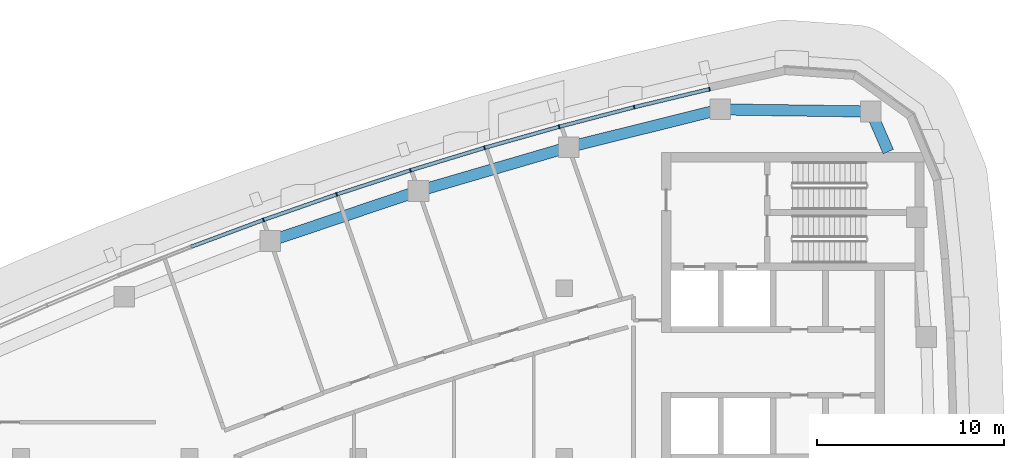
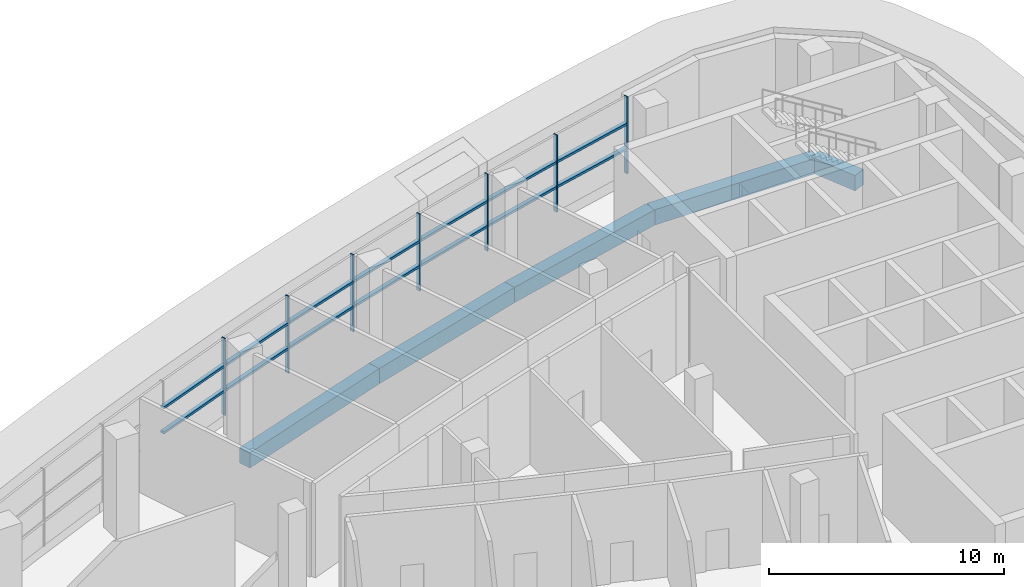
# One storey, part 5 of 14: 21 members, 5 beams, 4 elements without a shape of their own.
"""IFC4 building model written with IfcOpenShell, lengths in metres."""

from ifc_helpers import new_model, si_unit, direction, frame, origin, origin_2d, place, context, subcontext, project, spatial, rectangle, extrude, material, layer, layer_set, material_profile, profile_set, type_object, element, aggregate, save


model = new_model("IFC4")

# Units and contexts
model_context = context("Model", 3, precision=1e-05, world=origin(), true_north=direction((0.0, 1.0)))
body_context = subcontext(model_context, "Body", "Model", "MODEL_VIEW")
ifc_project = project(units=[si_unit("LENGTHUNIT", "METRE"), si_unit("AREAUNIT", "SQUARE_METRE"), si_unit("VOLUMEUNIT", "CUBIC_METRE"), si_unit("PLANEANGLEUNIT", "RADIAN"), si_unit("MASSUNIT", "GRAM", prefix="KILO")], contexts=[model_context])

# Site, building, storey
site_placement = place(None, origin())
site = spatial("IfcSite", under=ifc_project, at=site_placement, CompositionType="ELEMENT")
building_placement = place(site_placement, origin())
building = spatial("IfcBuilding", under=site, at=building_placement, Name="Ostrand Prow Hotel Tower", CompositionType="ELEMENT")
storey_placement = place(building_placement, frame((0.0, 0.0, 303.39990234375)))
storey = spatial("IfcBuildingStorey", under=building, at=storey_placement, Name="L77", CompositionType="ELEMENT", Elevation=303.39990234375)

# Beams
ifc_material_1 = material(Name="Concrete C50/60", Category="concrete")
ifc_material_profile_1 = material_profile(ifc_material_1, rectangle(XDim=0.60009765625, YDim=0.800048828125, at=origin_2d()), Name="RC 600x800")
ifc_profile_set_1 = profile_set([ifc_material_profile_1], Name="Concrete C50/60")
beam_type = type_object("IfcBeamType", Name="Edge beam 600x800 C50/60", PredefinedType="SPANDREL", material=ifc_profile_set_1)
beam_1_placement = place(storey_placement, frame((62.304931640625, 16.300048828125, -0.7998046875), z_axis=(-0.398863844187, 0.91701016014, 0.0), x_axis=(-0.91701016014, -0.398863844187, 0.0)))
element("IfcBeam", 1, at=beam_1_placement, inside=storey, type_object=beam_type, Name="Edge beam B5-NE", PredefinedType="SPANDREL", context=body_context, shape_type="SweptSolid", body=[
    extrude(rectangle(XDim=0.60009765625, YDim=0.800048828125, at=origin_2d()), origin(), (0.0, 0.0, 1.0), 2.333251953125),
])
beam_2_placement = place(storey_placement, frame((61.374267578125, 18.439697265625, -0.7998046875), z_axis=(-0.999900689486, 0.014092947356, 0.0), x_axis=(-0.014092947356, -0.999900689486, 0.0)))
element("IfcBeam", 2, at=beam_2_placement, inside=storey, type_object=beam_type, Name="Edge beam NE-N1", PredefinedType="SPANDREL", context=body_context, shape_type="SweptSolid", body=[
    extrude(rectangle(XDim=0.60009765625, YDim=0.800048828125, at=origin_2d()), origin(), (0.0, 0.0, 1.0), 8.0380859375),
])
for number, where, z_axis, x_axis, name in (
    (3, (53.3369140625, 18.552978515625, -0.7998046875), (-0.970456465292, -0.241276291775, 0.0), (0.241276291775, -0.970456465292, 0.0), "Edge beam N1-N2"),
    (4, (45.234619140625, 16.53857421875, -0.7998046875), (-0.959821966031, -0.280609681809, 0.0), (0.280609681809, -0.959821966031, 0.0), "Edge beam N2-N3"),
    (5, (37.22119140625, 14.19580078125, -0.7998046875), (-0.947575089419, -0.319533174981, 0.0), (0.319533174981, -0.947575089419, 0.0), "Edge beam N3-N4"),
):
    element("IfcBeam", number, at=place(storey_placement, frame(where, z_axis=z_axis, x_axis=x_axis)), inside=storey, type_object=beam_type, Name=name, PredefinedType="SPANDREL", context=body_context, shape_type="SweptSolid", body=[
        extrude(rectangle(XDim=0.60009765625, YDim=0.800048828125, at=origin_2d()), origin(), (0.0, 0.0, 1.0), 8.348876953125),
    ])

# Curtain wall, members
ifc_material_2 = material(Name="Insulated glass in bronze anodised frame", Category="glass")
ifc_layer = layer(ifc_material_2, 0.199951171875)
ifc_layer_set = layer_set([ifc_layer], Name="Insulated glass in bronze anodised frame")
curtain_wall_type = type_object("IfcCurtainWallType", Name="Plant storey louvre wall", PredefinedType="NOTDEFINED", material=ifc_layer_set)
curtain_wall_1_placement = place(storey_placement, origin())
curtain_wall_1 = element("IfcCurtainWall", 6, at=curtain_wall_1_placement, inside=storey, type_object=curtain_wall_type, Name="CW7 run CWN1", PredefinedType="NOTDEFINED")
ifc_material_3 = material(Name="Bronze anodised aluminium", Category="aluminium")
ifc_material_profile_2 = material_profile(ifc_material_3, rectangle(XDim=0.199951171875, YDim=0.06005859375, at=origin_2d()), Name="Mullion 60x200 bronze anodised aluminium")
ifc_profile_set_2 = profile_set([ifc_material_profile_2], Name="Bronze anodised aluminium")
member_type_1 = type_object("IfcMemberType", Name="Mullion 60x200 bronze anodised aluminium", PredefinedType="MULLION", material=ifc_profile_set_2)
member_1_placement = place(storey_placement, frame((52.7607421875, 19.634521484375, 0.900146484375), z_axis=(0.0, 0.0, 1.0), x_axis=(0.232746096028, -0.972537533869, 0.0)))
member_1 = element("IfcMember", 7, at=member_1_placement, type_object=member_type_1, Name="CW7 mullion 1", PredefinedType="MULLION", context=body_context, shape_type="SweptSolid", body=[
    extrude(rectangle(XDim=0.199951171875, YDim=0.06005859375, at=origin_2d()), origin(), (0.0, 0.0, 1.0), 4.0),
])
member_2_placement = place(storey_placement, frame((48.734619140625, 18.6708984375, 0.900146484375), z_axis=(0.0, 0.0, 1.0), x_axis=(0.252248384867, -0.967662519855, 0.0)))
member_2 = element("IfcMember", 8, at=member_2_placement, type_object=member_type_1, Name="CW7 mullion 2", PredefinedType="MULLION", context=body_context, shape_type="SweptSolid", body=[
    extrude(rectangle(XDim=0.199951171875, YDim=0.06005859375, at=origin_2d()), origin(), (0.0, 0.0, 1.0), 4.0),
])
member_3_placement = place(storey_placement, frame((44.728515625, 17.626708984375, 0.900146484375), z_axis=(0.0, 0.0, 1.0), x_axis=(0.252248384867, -0.967662519855, 0.0)))
member_3 = element("IfcMember", 9, at=member_3_placement, type_object=member_type_1, Name="CW7 mullion 3", PredefinedType="MULLION", context=body_context, shape_type="SweptSolid", body=[
    extrude(rectangle(XDim=0.199951171875, YDim=0.06005859375, at=origin_2d()), origin(), (0.0, 0.0, 1.0), 4.0),
])

curtain_wall_2_placement = place(storey_placement, origin())
curtain_wall_2 = element("IfcCurtainWall", 10, at=curtain_wall_2_placement, inside=storey, type_object=curtain_wall_type, Name="CW7 run CWN2", PredefinedType="NOTDEFINED")
member_4_placement = place(storey_placement, frame((40.744384765625, 16.502197265625, 0.900146484375), z_axis=(0.0, 0.0, 1.0), x_axis=(0.290937648411, -0.956742015769, 0.0)))
member_4 = element("IfcMember", 11, at=member_4_placement, type_object=member_type_1, Name="CW7 mullion 2", PredefinedType="MULLION", context=body_context, shape_type="SweptSolid", body=[
    extrude(rectangle(XDim=0.199951171875, YDim=0.06005859375, at=origin_2d()), origin(), (0.0, 0.0, 1.0), 4.0),
])
member_5_placement = place(storey_placement, frame((36.78369140625, 15.297607421875, 0.900146484375), z_axis=(0.0, 0.0, 1.0), x_axis=(0.290937648411, -0.956742015769, 0.0)))
member_5 = element("IfcMember", 12, at=member_5_placement, type_object=member_type_1, Name="CW7 mullion 3", PredefinedType="MULLION", context=body_context, shape_type="SweptSolid", body=[
    extrude(rectangle(XDim=0.199951171875, YDim=0.06005859375, at=origin_2d()), origin(), (0.0, 0.0, 1.0), 4.0),
])

curtain_wall_3_placement = place(storey_placement, origin())
curtain_wall_3 = element("IfcCurtainWall", 13, at=curtain_wall_3_placement, inside=storey, type_object=curtain_wall_type, Name="CW7 run CWN3", PredefinedType="NOTDEFINED")
member_6_placement = place(storey_placement, frame((32.84814453125, 14.013916015625, 0.900146484375), z_axis=(0.0, 0.0, 1.0), x_axis=(0.329158370885, -0.944274730614, 0.0)))
member_6 = element("IfcMember", 14, at=member_6_placement, type_object=member_type_1, Name="CW7 mullion 2", PredefinedType="MULLION", context=body_context, shape_type="SweptSolid", body=[
    extrude(rectangle(XDim=0.199951171875, YDim=0.06005859375, at=origin_2d()), origin(), (0.0, 0.0, 1.0), 4.0),
])
member_7_placement = place(storey_placement, frame((28.93896484375, 12.6513671875, 0.900146484375), z_axis=(0.0, 0.0, 1.0), x_axis=(0.329158370885, -0.944274730614, 0.0)))
member_7 = element("IfcMember", 15, at=member_7_placement, type_object=member_type_1, Name="CW7 mullion 3", PredefinedType="MULLION", context=body_context, shape_type="SweptSolid", body=[
    extrude(rectangle(XDim=0.199951171875, YDim=0.06005859375, at=origin_2d()), origin(), (0.0, 0.0, 1.0), 4.0),
])

# Member
ifc_material_4 = material(Name="Bronze anodised aluminium", Category="aluminium")
ifc_material_profile_3 = material_profile(ifc_material_4, rectangle(XDim=0.199951171875, YDim=0.1201171875, at=origin_2d()), Name="Transom 120x200 bronze anodised aluminium")
ifc_profile_set_3 = profile_set([ifc_material_profile_3], Name="Bronze anodised aluminium")
member_type_2 = type_object("IfcMemberType", Name="Transom 120x200 bronze anodised aluminium", PredefinedType="USERDEFINED", material=ifc_profile_set_3)
member_8_placement = place(storey_placement, frame((52.7314453125, 19.62744140625, 2.2001953125), z_axis=(-0.972542980558, -0.232723335675, 0.0), x_axis=(0.232723335675, -0.972542980558, 0.0)))
member_8 = element("IfcMember", 16, at=member_8_placement, type_object=member_type_2, Name="CW7 transom 1.1", ObjectType="TRANSOM", PredefinedType="USERDEFINED", context=body_context, shape_type="SweptSolid", body=[
    extrude(rectangle(XDim=0.199951171875, YDim=0.1201171875, at=origin_2d()), origin(), (0.0, 0.0, 1.0), 4.079833984375),
])

member_9_placement = place(storey_placement, frame((52.7314453125, 19.62744140625, 3.5), z_axis=(-0.972542980558, -0.232723335675, 0.0), x_axis=(0.232723335675, -0.972542980558, 0.0)))
member_9 = element("IfcMember", 17, at=member_9_placement, type_object=member_type_2, Name="CW7 transom 1.2", ObjectType="TRANSOM", PredefinedType="USERDEFINED", context=body_context, shape_type="SweptSolid", body=[
    extrude(rectangle(XDim=0.199951171875, YDim=0.1201171875, at=origin_2d()), origin(), (0.0, 0.0, 1.0), 4.079833984375),
])

member_10_placement = place(storey_placement, frame((48.70556640625, 18.663330078125, 2.2001953125), z_axis=(-0.967664917891, -0.252239185461, 0.0), x_axis=(0.252239185461, -0.967664917891, 0.0)))
member_10 = element("IfcMember", 18, at=member_10_placement, type_object=member_type_2, Name="CW7 transom 2.1", ObjectType="TRANSOM", PredefinedType="USERDEFINED", context=body_context, shape_type="SweptSolid", body=[
    extrude(rectangle(XDim=0.199951171875, YDim=0.1201171875, at=origin_2d()), origin(), (0.0, 0.0, 1.0), 4.07958984375),
])

member_11_placement = place(storey_placement, frame((48.70556640625, 18.663330078125, 3.5), z_axis=(-0.967664917891, -0.252239185461, 0.0), x_axis=(0.252239185461, -0.967664917891, 0.0)))
member_11 = element("IfcMember", 19, at=member_11_placement, type_object=member_type_2, Name="CW7 transom 2.2", ObjectType="TRANSOM", PredefinedType="USERDEFINED", context=body_context, shape_type="SweptSolid", body=[
    extrude(rectangle(XDim=0.199951171875, YDim=0.1201171875, at=origin_2d()), origin(), (0.0, 0.0, 1.0), 4.07958984375),
])

aggregate(curtain_wall_1, [member_1, member_2, member_3, member_8, member_9, member_10, member_11])

member_12_placement = place(storey_placement, frame((44.69970703125, 17.61865234375, 2.2001953125), z_axis=(-0.962386308628, -0.271684730828, 0.0), x_axis=(0.271684730828, -0.962386308628, 0.0)))
member_12 = element("IfcMember", 20, at=member_12_placement, type_object=member_type_2, Name="CW7 transom 1.1", ObjectType="TRANSOM", PredefinedType="USERDEFINED", context=body_context, shape_type="SweptSolid", body=[
    extrude(rectangle(XDim=0.199951171875, YDim=0.1201171875, at=origin_2d()), origin(), (0.0, 0.0, 1.0), 4.079833984375),
])

member_13_placement = place(storey_placement, frame((44.69970703125, 17.61865234375, 3.5), z_axis=(-0.962386308628, -0.271684730828, 0.0), x_axis=(0.271684730828, -0.962386308628, 0.0)))
member_13 = element("IfcMember", 21, at=member_13_placement, type_object=member_type_2, Name="CW7 transom 1.2", ObjectType="TRANSOM", PredefinedType="USERDEFINED", context=body_context, shape_type="SweptSolid", body=[
    extrude(rectangle(XDim=0.199951171875, YDim=0.1201171875, at=origin_2d()), origin(), (0.0, 0.0, 1.0), 4.079833984375),
])

member_14_placement = place(storey_placement, frame((40.7158203125, 16.493408203125, 2.2001953125), z_axis=(-0.956739081124, -0.290947298751, 0.0), x_axis=(0.290947298751, -0.956739081124, 0.0)))
member_14 = element("IfcMember", 22, at=member_14_placement, type_object=member_type_2, Name="CW7 transom 2.1", ObjectType="TRANSOM", PredefinedType="USERDEFINED", context=body_context, shape_type="SweptSolid", body=[
    extrude(rectangle(XDim=0.199951171875, YDim=0.1201171875, at=origin_2d()), origin(), (0.0, 0.0, 1.0), 4.079833984375),
])

member_15_placement = place(storey_placement, frame((40.7158203125, 16.493408203125, 3.5), z_axis=(-0.956739081124, -0.290947298751, 0.0), x_axis=(0.290947298751, -0.956739081124, 0.0)))
member_15 = element("IfcMember", 23, at=member_15_placement, type_object=member_type_2, Name="CW7 transom 2.2", ObjectType="TRANSOM", PredefinedType="USERDEFINED", context=body_context, shape_type="SweptSolid", body=[
    extrude(rectangle(XDim=0.199951171875, YDim=0.1201171875, at=origin_2d()), origin(), (0.0, 0.0, 1.0), 4.079833984375),
])

aggregate(curtain_wall_2, [member_4, member_5, member_12, member_13, member_14, member_15])

member_16_placement = place(storey_placement, frame((36.75537109375, 15.288330078125, 2.2001953125), z_axis=(-0.950704145978, -0.310099382165, 0.0), x_axis=(0.310099382165, -0.950704145978, 0.0)))
member_16 = element("IfcMember", 24, at=member_16_placement, type_object=member_type_2, Name="CW7 transom 1.1", ObjectType="TRANSOM", PredefinedType="USERDEFINED", context=body_context, shape_type="SweptSolid", body=[
    extrude(rectangle(XDim=0.199951171875, YDim=0.1201171875, at=origin_2d()), origin(), (0.0, 0.0, 1.0), 4.079833984375),
])

member_17_placement = place(storey_placement, frame((36.75537109375, 15.288330078125, 3.5), z_axis=(-0.950704145978, -0.310099382165, 0.0), x_axis=(0.310099382165, -0.950704145978, 0.0)))
member_17 = element("IfcMember", 25, at=member_17_placement, type_object=member_type_2, Name="CW7 transom 1.2", ObjectType="TRANSOM", PredefinedType="USERDEFINED", context=body_context, shape_type="SweptSolid", body=[
    extrude(rectangle(XDim=0.199951171875, YDim=0.1201171875, at=origin_2d()), origin(), (0.0, 0.0, 1.0), 4.079833984375),
])

member_18_placement = place(storey_placement, frame((32.81982421875, 14.004150390625, 2.2001953125), z_axis=(-0.944268108385, -0.329177367822, 0.0), x_axis=(0.329177367822, -0.944268108385, 0.0)))
member_18 = element("IfcMember", 26, at=member_18_placement, type_object=member_type_2, Name="CW7 transom 2.1", ObjectType="TRANSOM", PredefinedType="USERDEFINED", context=body_context, shape_type="SweptSolid", body=[
    extrude(rectangle(XDim=0.199951171875, YDim=0.1201171875, at=origin_2d()), origin(), (0.0, 0.0, 1.0), 4.079833984375),
])

member_19_placement = place(storey_placement, frame((32.81982421875, 14.004150390625, 3.5), z_axis=(-0.944268108385, -0.329177367822, 0.0), x_axis=(0.329177367822, -0.944268108385, 0.0)))
member_19 = element("IfcMember", 27, at=member_19_placement, type_object=member_type_2, Name="CW7 transom 2.2", ObjectType="TRANSOM", PredefinedType="USERDEFINED", context=body_context, shape_type="SweptSolid", body=[
    extrude(rectangle(XDim=0.199951171875, YDim=0.1201171875, at=origin_2d()), origin(), (0.0, 0.0, 1.0), 4.079833984375),
])

aggregate(curtain_wall_3, [member_6, member_7, member_16, member_17, member_18, member_19])

# Curtain wall, members
curtain_wall_4_placement = place(storey_placement, origin())
curtain_wall_4 = element("IfcCurtainWall", 28, at=curtain_wall_4_placement, inside=storey, type_object=curtain_wall_type, Name="CW7 run CWN4", PredefinedType="NOTDEFINED")
member_20_placement = place(storey_placement, frame((28.910888671875, 12.640869140625, 2.2001953125), z_axis=(-0.937460424566, -0.348091873465, 0.0), x_axis=(0.348091873465, -0.937460424566, 0.0)))
member_20 = element("IfcMember", 29, at=member_20_placement, type_object=member_type_2, Name="CW7 transom 1.1", ObjectType="TRANSOM", PredefinedType="USERDEFINED", context=body_context, shape_type="SweptSolid", body=[
    extrude(rectangle(XDim=0.199951171875, YDim=0.1201171875, at=origin_2d()), origin(), (0.0, 0.0, 1.0), 4.079833984375),
])
member_21_placement = place(storey_placement, frame((28.910888671875, 12.640869140625, 3.5), z_axis=(-0.937460424566, -0.348091873465, 0.0), x_axis=(0.348091873465, -0.937460424566, 0.0)))
member_21 = element("IfcMember", 30, at=member_21_placement, type_object=member_type_2, Name="CW7 transom 1.2", ObjectType="TRANSOM", PredefinedType="USERDEFINED", context=body_context, shape_type="SweptSolid", body=[
    extrude(rectangle(XDim=0.199951171875, YDim=0.1201171875, at=origin_2d()), origin(), (0.0, 0.0, 1.0), 4.079833984375),
])
aggregate(curtain_wall_4, [member_20, member_21])

save(model, "model.ifc")
